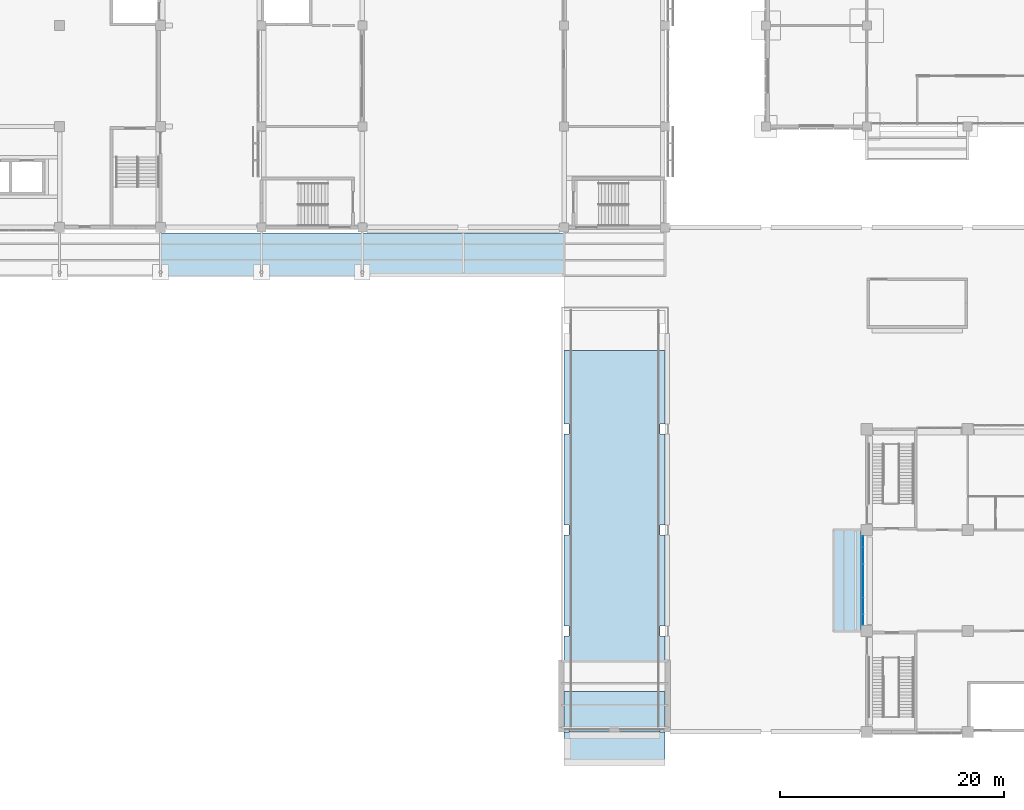
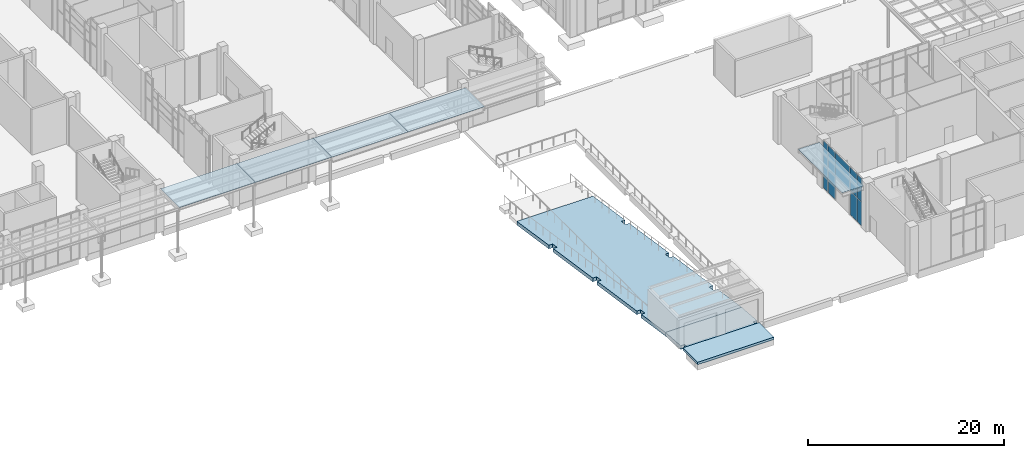
# One storey, part 39 of 86: 19 plates, 3 slabs, 1 element without a shape of its own.
"""IFC4 building model written with IfcOpenShell, lengths in metres."""

from ifc_helpers import new_model, si_unit, direction, frame, origin, origin_2d, place, context, subcontext, project, spatial, polyline, rectangle, outline, extrude, material, layer, layer_set, type_object, element, aggregate, save


model = new_model("IFC4")

# Units and contexts
model_context = context("Model", 3, precision=1e-05, world=origin(), true_north=direction((0.0, 1.0)))
body_context = subcontext(model_context, "Body", "Model", "MODEL_VIEW")
ifc_project = project(units=[si_unit("LENGTHUNIT", "METRE"), si_unit("AREAUNIT", "SQUARE_METRE"), si_unit("VOLUMEUNIT", "CUBIC_METRE"), si_unit("PLANEANGLEUNIT", "RADIAN"), si_unit("MASSUNIT", "GRAM", prefix="KILO")], contexts=[model_context])

# Site, building, storey
site_placement = place(None, origin())
site = spatial("IfcSite", under=ifc_project, at=site_placement, CompositionType="ELEMENT")
building_placement = place(site_placement, origin())
building = spatial("IfcBuilding", under=site, at=building_placement, Name="Guidao Yard Department Store", CompositionType="ELEMENT")
storey_placement = place(building_placement, origin())
storey = spatial("IfcBuildingStorey", under=building, at=storey_placement, Name="L00", CompositionType="ELEMENT", Elevation=0.0)

# Slab
ifc_material_1 = material(Name="Concrete C30", Category="concrete")
ifc_layer_1 = layer(ifc_material_1, 0.300048828125)
ifc_layer_set_1 = layer_set([ifc_layer_1], Name="Apron slab RC 300 C30")
slab_type_1 = type_object("IfcSlabType", Name="Apron slab RC 300 C30", PredefinedType="FLOOR", material=ifc_layer_set_1)
slab_1_placement = place(storey_placement, frame((0.0, 0.0, -0.300048828125)))
element("IfcSlab", 1, at=slab_1_placement, inside=storey, type_object=slab_type_1, Name="Ramp A apron", PredefinedType="FLOOR", context=body_context, shape_type="SweptSolid", body=[
    extrude(outline(polyline([(99.0, -3.0), (108.0, -3.0), (108.0, 0.0), (99.0, 0.0), (99.0, -3.0)])), origin(), (0.0, 0.0, 1.0), 0.300048828125),
])

# Plates
ifc_material_2 = material(Name="Laminated glass", Category="glass")
ifc_layer_2 = layer(ifc_material_2, 0.021484375)
ifc_layer_set_2 = layer_set([ifc_layer_2], Name="Canopy glass CG1 laminated 10+10")
plate_type_1 = type_object("IfcPlateType", Name="Canopy glass CG1 laminated 10+10", PredefinedType="SHEET", material=ifc_layer_set_2)
for number, where, z_axis, x_axis, name in (
    (2, (67.5, 42.56005859375, 5.449951171875), (0.0, 0.0, 1.0), (1.0, 0.0, 0.0), "Entrance canopy glazing 7.1"),
    (3, (76.5, 42.56005859375, 5.449951171875), (0.0, 0.0, 1.0), (1.0, 0.0, 0.0), "Entrance canopy glazing 8.1"),
    (4, (85.5, 42.56005859375, 5.449951171875), (0.0, 0.0, 1.0), (1.0, 0.0, 0.0), "Entrance canopy glazing 9.1"),
    (5, (94.5, 42.56005859375, 5.449951171875), (0.0, 0.0, 1.0), (1.0, 0.0, 0.0), "Entrance canopy glazing 10.1"),
):
    element("IfcPlate", number, at=place(storey_placement, frame(where, z_axis=z_axis, x_axis=x_axis)), inside=storey, type_object=plate_type_1, Name=name, PredefinedType="SHEET", context=body_context, shape_type="SweptSolid", body=[
        extrude(rectangle(XDim=8.989990234375, YDim=3.8798828125, at=origin_2d()), origin(), (0.0, 0.0, 1.0), 0.021484375),
    ])
plate_1_placement = place(storey_placement, frame((124.25, 13.5, 5.449951171875), z_axis=(0.0, 0.0, 1.0), x_axis=(1.0, 0.0, 0.0)))
element("IfcPlate", 6, at=plate_1_placement, inside=storey, type_object=plate_type_1, Name="Office canopy west glazing 1.1", PredefinedType="SHEET", context=body_context, shape_type="SweptSolid", body=[
    extrude(rectangle(XDim=2.5, YDim=8.989990234375, at=origin_2d()), origin(), (0.0, 0.0, 1.0), 0.021484375),
])

# Slabs
ifc_material_3 = material(Name="Concrete C35", Category="concrete")
ifc_layer_3 = layer(ifc_material_3, 0.449951171875)
ifc_layer_set_3 = layer_set([ifc_layer_3], Name="Car park ramp slab RC 450 C35")
slab_type_2 = type_object("IfcSlabType", Name="Car park ramp slab RC 450 C35", PredefinedType="USERDEFINED", material=ifc_layer_set_3)
slab_2_placement = place(storey_placement, frame((99.0, 3.60009765625, -0.27001953125), z_axis=(0.0, 0.074794885165, 0.997198939607), x_axis=(0.0, -0.997198939607, 0.074794885165)))
element("IfcSlab", 7, at=slab_2_placement, inside=storey, type_object=slab_type_2, Name="Car park ramp A slab 1", ObjectType="CAR RAMP", PredefinedType="USERDEFINED", context=body_context, shape_type="SweptSolid", body=[
    extrude(outline(polyline([(0.0, 0.0), (3.1589988687958344, 0.0), (3.1589988687958344, 0.4499511718750001), (3.610209645125989, 0.4499511718750001), (3.610209645125989, 8.550048828125002), (3.1589988687958344, 8.550048828125002), (3.1589988687958344, 9.000000000000002), (0.0, 9.000000000000002), (0.0, 0.0)])), origin(), (-0.074794885165, 0.0, -0.997198939607), 0.451171875),
])
slab_3_placement = place(storey_placement, frame((108.0, 3.60009765625, -0.27001953125), z_axis=(0.0, 0.148342568928, 0.988936035466), x_axis=(0.0, 0.988936035466, -0.148342568928)))
element("IfcSlab", 8, at=slab_3_placement, inside=storey, type_object=slab_type_2, Name="Car park ramp A slab 2", ObjectType="CAR RAMP", PredefinedType="USERDEFINED", context=body_context, shape_type="SweptSolid", body=[
    extrude(outline(polyline([(0.0, 0.0), (5.005319304489667, 0.0), (5.005319304489667, 0.4499511718749999), (5.91529285608782, 0.4499511718749999), (5.91529285608782, 0.0), (14.106020578318338, 0.0), (14.106020578318338, 0.4499511718749999), (15.015994129916493, 0.4499511718749999), (15.015994129916493, 0.0), (23.206685635699518, 0.0), (23.206685635699518, 0.4499511718749999), (24.116659187297675, 0.4499511718749999), (24.116659187297675, 0.0), (30.74000970865048, 0.0), (30.74000970865048, 8.999999999999998), (24.116659187297675, 8.999999999999998), (24.116659187297675, 8.550048828124998), (23.206685635699518, 8.550048828124998), (23.206685635699518, 8.999999999999998), (15.015994129916493, 8.999999999999998), (15.015994129916493, 8.550048828124998), (14.106020578318338, 8.550048828124998), (14.106020578318338, 8.999999999999998), (5.91529285608782, 8.999999999999998), (5.91529285608782, 8.550048828124998), (5.005319304489667, 8.550048828124998), (5.005319304489667, 8.999999999999998), (0.0, 8.999999999999998), (0.0, 0.0)])), origin(), (0.148342568928, 0.0, -0.988936035466), 0.455078125),
])

# Curtain wall, plates
ifc_material_4 = material(Name="Aluminium and glass", Category="aluminium")
ifc_layer_4 = layer(ifc_material_4, 0.159912109375)
ifc_layer_set_4 = layer_set([ifc_layer_4], Name="Unitised curtain wall CW4 1500 module")
curtain_wall_type = type_object("IfcCurtainWallType", Name="Unitised curtain wall CW4 1500 module", PredefinedType="NOTDEFINED", material=ifc_layer_set_4)
curtain_wall_placement = place(storey_placement, origin())
curtain_wall = element("IfcCurtainWall", 9, at=curtain_wall_placement, inside=storey, type_object=curtain_wall_type, Name="Unitised curtain wall", PredefinedType="NOTDEFINED")
ifc_material_5 = material(Name="Aluminium 6063-T5 faced insulated spandrel", Category="aluminium")
ifc_layer_5 = layer(ifc_material_5, 0.06005859375)
ifc_layer_set_5 = layer_set([ifc_layer_5], Name="Spandrel panel SP1 insulated opaque")
plate_type_2 = type_object("IfcPlateType", Name="Spandrel panel SP1 insulated opaque", PredefinedType="CURTAIN_PANEL", material=ifc_layer_set_5)
plate_2_placement = place(storey_placement, frame((125.669921875, 10.014892578125, 5.1298828125), z_axis=(0.0, 0.0, 1.0), x_axis=(0.0, 1.0, 0.0)))
plate_2 = element("IfcPlate", 10, at=plate_2_placement, type_object=plate_type_2, Name="CW-OW-L00-04 panel 1.3", PredefinedType="CURTAIN_PANEL", context=body_context, shape_type="SweptSolid", body=[
    extrude(rectangle(XDim=0.909912109375, YDim=0.06005859375, at=origin_2d()), origin(), (0.0, 0.0, 1.0), 0.81005859375),
])
plate_3_placement = place(storey_placement, frame((125.669921875, 11.25, 5.1298828125), z_axis=(0.0, 0.0, 1.0), x_axis=(0.0, 1.0, 0.0)))
plate_3 = element("IfcPlate", 11, at=plate_3_placement, type_object=plate_type_2, Name="CW-OW-L00-04 panel 2.3", PredefinedType="CURTAIN_PANEL", context=body_context, shape_type="SweptSolid", body=[
    extrude(rectangle(XDim=1.43994140625, YDim=0.06005859375, at=origin_2d()), origin(), (0.0, 0.0, 1.0), 0.81005859375),
])
plate_4_placement = place(storey_placement, frame((125.669921875, 13.5, 5.1298828125), z_axis=(0.0, 0.0, 1.0), x_axis=(0.0, 1.0, 0.0)))
plate_4 = element("IfcPlate", 12, at=plate_4_placement, type_object=plate_type_2, Name="CW-OW-L00-04 panel 3.3", PredefinedType="CURTAIN_PANEL", context=body_context, shape_type="SweptSolid", body=[
    extrude(rectangle(XDim=2.93994140625, YDim=0.06005859375, at=origin_2d()), origin(), (0.0, 0.0, 1.0), 0.81005859375),
])
plate_5_placement = place(storey_placement, frame((125.669921875, 15.75, 5.1298828125), z_axis=(0.0, 0.0, 1.0), x_axis=(0.0, 1.0, 0.0)))
plate_5 = element("IfcPlate", 13, at=plate_5_placement, type_object=plate_type_2, Name="CW-OW-L00-04 panel 4.3", PredefinedType="CURTAIN_PANEL", context=body_context, shape_type="SweptSolid", body=[
    extrude(rectangle(XDim=1.43994140625, YDim=0.06005859375, at=origin_2d()), origin(), (0.0, 0.0, 1.0), 0.81005859375),
])
plate_6_placement = place(storey_placement, frame((125.669921875, 16.985107421875, 5.1298828125), z_axis=(0.0, 0.0, 1.0), x_axis=(0.0, 1.0, 0.0)))
plate_6 = element("IfcPlate", 14, at=plate_6_placement, type_object=plate_type_2, Name="CW-OW-L00-04 panel 5.3", PredefinedType="CURTAIN_PANEL", context=body_context, shape_type="SweptSolid", body=[
    extrude(rectangle(XDim=0.909912109375, YDim=0.06005859375, at=origin_2d()), origin(), (0.0, 0.0, 1.0), 0.81005859375),
])
ifc_material_6 = material(Name="Laminated heat-soaked tempered glass", Category="glass")
ifc_layer_6 = layer(ifc_material_6, 0.017578125)
ifc_layer_set_6 = layer_set([ifc_layer_6], Name="Vision glass VG1 laminated heat-soaked tempered 8+8")
plate_type_3 = type_object("IfcPlateType", Name="Vision glass VG1 laminated heat-soaked tempered 8+8", PredefinedType="CURTAIN_PANEL", material=ifc_layer_set_6)
plate_7_placement = place(storey_placement, frame((125.669921875, 10.014892578125, 0.06005859375), z_axis=(0.0, 0.0, 1.0), x_axis=(0.0, 1.0, 0.0)))
plate_7 = element("IfcPlate", 15, at=plate_7_placement, type_object=plate_type_3, Name="CW-OW-L00-04 panel 1.1", PredefinedType="CURTAIN_PANEL", context=body_context, shape_type="SweptSolid", body=[
    extrude(rectangle(XDim=0.909912109375, YDim=0.017578125, at=origin_2d()), origin(), (0.0, 0.0, 1.0), 2.909912109375),
])
plate_8_placement = place(storey_placement, frame((125.669921875, 10.014892578125, 3.030029296875), z_axis=(0.0, 0.0, 1.0), x_axis=(0.0, 1.0, 0.0)))
plate_8 = element("IfcPlate", 16, at=plate_8_placement, type_object=plate_type_3, Name="CW-OW-L00-04 panel 1.2", PredefinedType="CURTAIN_PANEL", context=body_context, shape_type="SweptSolid", body=[
    extrude(rectangle(XDim=0.909912109375, YDim=0.017578125, at=origin_2d()), origin(), (0.0, 0.0, 1.0), 2.0400390625),
])
plate_9_placement = place(storey_placement, frame((125.669921875, 11.25, 0.06005859375), z_axis=(0.0, 0.0, 1.0), x_axis=(0.0, 1.0, 0.0)))
plate_9 = element("IfcPlate", 17, at=plate_9_placement, type_object=plate_type_3, Name="CW-OW-L00-04 panel 2.1", PredefinedType="CURTAIN_PANEL", context=body_context, shape_type="SweptSolid", body=[
    extrude(rectangle(XDim=1.43994140625, YDim=0.017578125, at=origin_2d()), origin(), (0.0, 0.0, 1.0), 2.909912109375),
])
plate_10_placement = place(storey_placement, frame((125.669921875, 11.25, 3.030029296875), z_axis=(0.0, 0.0, 1.0), x_axis=(0.0, 1.0, 0.0)))
plate_10 = element("IfcPlate", 18, at=plate_10_placement, type_object=plate_type_3, Name="CW-OW-L00-04 panel 2.2", PredefinedType="CURTAIN_PANEL", context=body_context, shape_type="SweptSolid", body=[
    extrude(rectangle(XDim=1.43994140625, YDim=0.017578125, at=origin_2d()), origin(), (0.0, 0.0, 1.0), 2.0400390625),
])
plate_11_placement = place(storey_placement, frame((125.669921875, 13.5, 3.030029296875), z_axis=(0.0, 0.0, 1.0), x_axis=(0.0, 1.0, 0.0)))
plate_11 = element("IfcPlate", 19, at=plate_11_placement, type_object=plate_type_3, Name="CW-OW-L00-04 panel 3.2", PredefinedType="CURTAIN_PANEL", context=body_context, shape_type="SweptSolid", body=[
    extrude(rectangle(XDim=2.93994140625, YDim=0.017578125, at=origin_2d()), origin(), (0.0, 0.0, 1.0), 2.0400390625),
])
plate_12_placement = place(storey_placement, frame((125.669921875, 15.75, 0.06005859375), z_axis=(0.0, 0.0, 1.0), x_axis=(0.0, 1.0, 0.0)))
plate_12 = element("IfcPlate", 20, at=plate_12_placement, type_object=plate_type_3, Name="CW-OW-L00-04 panel 4.1", PredefinedType="CURTAIN_PANEL", context=body_context, shape_type="SweptSolid", body=[
    extrude(rectangle(XDim=1.43994140625, YDim=0.017578125, at=origin_2d()), origin(), (0.0, 0.0, 1.0), 2.909912109375),
])
plate_13_placement = place(storey_placement, frame((125.669921875, 15.75, 3.030029296875), z_axis=(0.0, 0.0, 1.0), x_axis=(0.0, 1.0, 0.0)))
plate_13 = element("IfcPlate", 21, at=plate_13_placement, type_object=plate_type_3, Name="CW-OW-L00-04 panel 4.2", PredefinedType="CURTAIN_PANEL", context=body_context, shape_type="SweptSolid", body=[
    extrude(rectangle(XDim=1.43994140625, YDim=0.017578125, at=origin_2d()), origin(), (0.0, 0.0, 1.0), 2.0400390625),
])
plate_14_placement = place(storey_placement, frame((125.669921875, 16.985107421875, 0.06005859375), z_axis=(0.0, 0.0, 1.0), x_axis=(0.0, 1.0, 0.0)))
plate_14 = element("IfcPlate", 22, at=plate_14_placement, type_object=plate_type_3, Name="CW-OW-L00-04 panel 5.1", PredefinedType="CURTAIN_PANEL", context=body_context, shape_type="SweptSolid", body=[
    extrude(rectangle(XDim=0.909912109375, YDim=0.017578125, at=origin_2d()), origin(), (0.0, 0.0, 1.0), 2.909912109375),
])
plate_15_placement = place(storey_placement, frame((125.669921875, 16.985107421875, 3.030029296875), z_axis=(0.0, 0.0, 1.0), x_axis=(0.0, 1.0, 0.0)))
plate_15 = element("IfcPlate", 23, at=plate_15_placement, type_object=plate_type_3, Name="CW-OW-L00-04 panel 5.2", PredefinedType="CURTAIN_PANEL", context=body_context, shape_type="SweptSolid", body=[
    extrude(rectangle(XDim=0.909912109375, YDim=0.017578125, at=origin_2d()), origin(), (0.0, 0.0, 1.0), 2.0400390625),
])
aggregate(curtain_wall, [plate_7, plate_8, plate_2, plate_9, plate_10, plate_3, plate_11, plate_4, plate_12, plate_13, plate_5, plate_14, plate_15, plate_6])

save(model, "model.ifc")
